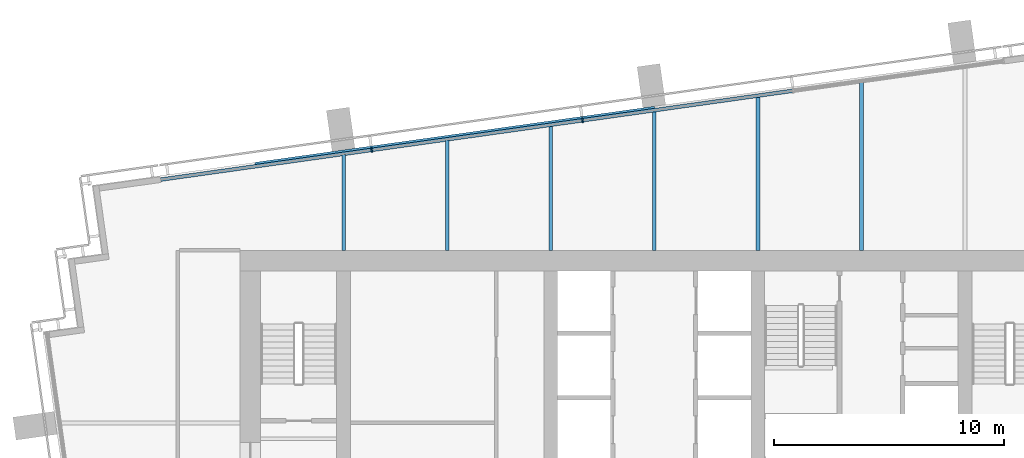
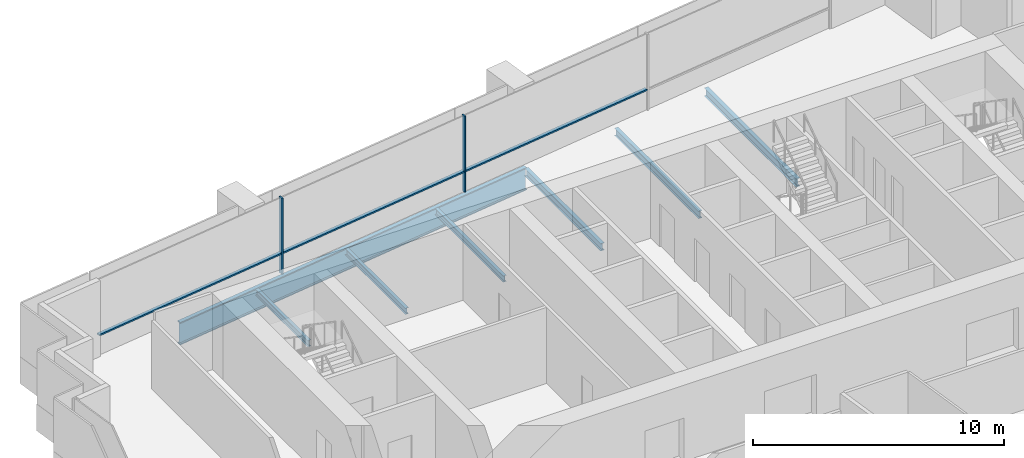
# One storey, part 5 of 15: 7 beams, 5 members, 1 element without a shape of its own.
"""IFC4 building model written with IfcOpenShell, lengths in metres."""

from ifc_helpers import new_model, si_unit, direction, frame, origin, origin_2d, place, context, subcontext, project, spatial, rectangle, i_section, extrude, material, layer, layer_set, material_profile, profile_set, type_object, element, aggregate, save


model = new_model("IFC4")

# Units and contexts
model_context = context("Model", 3, precision=1e-05, world=origin(), true_north=direction((0.0, 1.0)))
body_context = subcontext(model_context, "Body", "Model", "MODEL_VIEW")
ifc_project = project(units=[si_unit("LENGTHUNIT", "METRE"), si_unit("AREAUNIT", "SQUARE_METRE"), si_unit("VOLUMEUNIT", "CUBIC_METRE"), si_unit("PLANEANGLEUNIT", "RADIAN"), si_unit("MASSUNIT", "GRAM", prefix="KILO")], contexts=[model_context])

# Site, building, storey
site_placement = place(None, origin())
site = spatial("IfcSite", under=ifc_project, at=site_placement, CompositionType="ELEMENT")
building_placement = place(site_placement, origin())
building = spatial("IfcBuilding", under=site, at=building_placement, Name="Rattan Terrace Tower", CompositionType="ELEMENT")
storey_placement = place(building_placement, frame((0.0, 0.0, 274.60009765625)))
storey = spatial("IfcBuildingStorey", under=building, at=storey_placement, Name="L63", CompositionType="ELEMENT", Elevation=274.60009765625)

# Beams
ifc_material_1 = material(Name="Steel S460", Category="steel")
ifc_material_profile_1 = material_profile(ifc_material_1, i_section(OverallWidth=0.179931640625, OverallDepth=1.10009765625, WebThickness=0.01611328125, FlangeThickness=0.050048828125, at=origin_2d()), Name="PG 1100x180-16-50")
ifc_profile_set_1 = profile_set([ifc_material_profile_1], Name="Steel S460")
beam_type_1 = type_object("IfcBeamType", Name="Frame edge girder PG 1100x180-16-50", PredefinedType="SPANDREL", material=ifc_profile_set_1)
beam_1_placement = place(storey_placement, frame((-17.347900390625, 11.22900390625, -0.75), z_axis=(0.990275473288, 0.139120404699, 0.0), x_axis=(-0.139120404699, 0.990275473288, 0.0)))
element("IfcBeam", 1, at=beam_1_placement, inside=storey, type_object=beam_type_1, Name="gdr-L63-005", PredefinedType="SPANDREL", context=body_context, shape_type="SweptSolid", body=[
    extrude(i_section(OverallWidth=0.179931640625, OverallDepth=1.10009765625, WebThickness=0.01611328125, FlangeThickness=0.050048828125, at=origin_2d()), origin(), (0.0, 0.0, 1.0), 17.53125),
])
ifc_material_2 = material(Name="Steel S355", Category="steel")
ifc_material_profile_2 = material_profile(ifc_material_2, i_section(OverallWidth=0.14990234375, OverallDepth=0.300048828125, WebThickness=0.007080078125, FlangeThickness=0.0107421875, FilletRadius=0.014892578125, at=origin_2d()), Name="IPE 300")
ifc_profile_set_2 = profile_set([ifc_material_profile_2], Name="Steel S355")
beam_type_2 = type_object("IfcBeamType", Name="Frame floor beam IPE 300", PredefinedType="JOIST", material=ifc_profile_set_2)
beam_2_placement = place(storey_placement, frame((-13.5, 7.5, -0.35009765625), z_axis=(0.0, 1.0, 0.0), x_axis=(-1.0, 0.0, 0.0)))
element("IfcBeam", 2, at=beam_2_placement, inside=storey, type_object=beam_type_2, Name="bm-L63-015", PredefinedType="JOIST", context=body_context, shape_type="SweptSolid", body=[
    extrude(i_section(OverallWidth=0.14990234375, OverallDepth=0.300048828125, WebThickness=0.007080078125, FlangeThickness=0.0107421875, FilletRadius=0.014892578125, at=origin_2d()), origin(), (0.0, 0.0, 1.0), 4.16796875),
])
beam_3_placement = place(storey_placement, frame((-9.0, 7.5, -0.35009765625), z_axis=(0.0, 1.0, 0.0), x_axis=(-1.0, 0.0, 0.0)))
element("IfcBeam", 3, at=beam_3_placement, inside=storey, type_object=beam_type_2, Name="bm-L63-016", PredefinedType="JOIST", context=body_context, shape_type="SweptSolid", body=[
    extrude(i_section(OverallWidth=0.14990234375, OverallDepth=0.300048828125, WebThickness=0.007080078125, FlangeThickness=0.0107421875, FilletRadius=0.014892578125, at=origin_2d()), origin(), (0.0, 0.0, 1.0), 4.800048828125),
])
beam_4_placement = place(storey_placement, frame((-4.5, 7.5, -0.35009765625), z_axis=(0.0, 1.0, 0.0), x_axis=(-1.0, 0.0, 0.0)))
element("IfcBeam", 4, at=beam_4_placement, inside=storey, type_object=beam_type_2, Name="bm-L63-017", PredefinedType="JOIST", context=body_context, shape_type="SweptSolid", body=[
    extrude(i_section(OverallWidth=0.14990234375, OverallDepth=0.300048828125, WebThickness=0.007080078125, FlangeThickness=0.0107421875, FilletRadius=0.014892578125, at=origin_2d()), origin(), (0.0, 0.0, 1.0), 5.43310546875),
])
ifc_material_3 = material(Name="Steel S355", Category="steel")
ifc_material_profile_3 = material_profile(ifc_material_3, i_section(OverallWidth=0.169921875, OverallDepth=0.360107421875, WebThickness=0.008056640625, FlangeThickness=0.0126953125, FilletRadius=0.01806640625, at=origin_2d()), Name="IPE 360")
ifc_profile_set_3 = profile_set([ifc_material_profile_3], Name="Steel S355")
beam_type_3 = type_object("IfcBeamType", Name="Frame floor beam IPE 360", PredefinedType="JOIST", material=ifc_profile_set_3)
beam_5_placement = place(storey_placement, frame((0.0, 7.5, -0.380126953125), z_axis=(0.0, 1.0, 0.0), x_axis=(-1.0, 0.0, 0.0)))
element("IfcBeam", 5, at=beam_5_placement, inside=storey, type_object=beam_type_3, Name="bm-L63-018", PredefinedType="JOIST", context=body_context, shape_type="SweptSolid", body=[
    extrude(i_section(OverallWidth=0.169921875, OverallDepth=0.360107421875, WebThickness=0.008056640625, FlangeThickness=0.0126953125, FilletRadius=0.01806640625, at=origin_2d()), origin(), (0.0, 0.0, 1.0), 6.06298828125),
])
beam_6_placement = place(storey_placement, frame((4.5, 7.5, -0.380126953125), z_axis=(0.0, 1.0, 0.0), x_axis=(-1.0, 0.0, 0.0)))
element("IfcBeam", 6, at=beam_6_placement, inside=storey, type_object=beam_type_3, Name="bm-L63-019", PredefinedType="JOIST", context=body_context, shape_type="SweptSolid", body=[
    extrude(i_section(OverallWidth=0.169921875, OverallDepth=0.360107421875, WebThickness=0.008056640625, FlangeThickness=0.0126953125, FilletRadius=0.01806640625, at=origin_2d()), origin(), (0.0, 0.0, 1.0), 6.696044921875),
])
ifc_material_4 = material(Name="Steel S355", Category="steel")
ifc_material_profile_4 = material_profile(ifc_material_4, i_section(OverallWidth=0.179931640625, OverallDepth=0.39990234375, WebThickness=0.008544921875, FlangeThickness=0.013427734375, FilletRadius=0.02099609375, at=origin_2d()), Name="IPE 400")
ifc_profile_set_4 = profile_set([ifc_material_profile_4], Name="Steel S355")
beam_type_4 = type_object("IfcBeamType", Name="Frame floor beam IPE 400", PredefinedType="JOIST", material=ifc_profile_set_4)
beam_7_placement = place(storey_placement, frame((9.0, 7.5, -0.400146484375), z_axis=(0.0, 1.0, 0.0), x_axis=(-1.0, 0.0, 0.0)))
element("IfcBeam", 7, at=beam_7_placement, inside=storey, type_object=beam_type_4, Name="bm-L63-020", PredefinedType="JOIST", context=body_context, shape_type="SweptSolid", body=[
    extrude(i_section(OverallWidth=0.179931640625, OverallDepth=0.39990234375, WebThickness=0.008544921875, FlangeThickness=0.013427734375, FilletRadius=0.02099609375, at=origin_2d()), origin(), (0.0, 0.0, 1.0), 7.327880859375),
])

# Curtain wall, members
ifc_material_5 = material(Name="Aluminium and laminated glass", Category="aluminium")
ifc_layer = layer(ifc_material_5, 0.199951171875)
ifc_layer_set = layer_set([ifc_layer], Name="High-Zone Unitised Curtain Wall")
curtain_wall_type = type_object("IfcCurtainWallType", Name="High-Zone Unitised Curtain Wall", PredefinedType="NOTDEFINED", material=ifc_layer_set)
curtain_wall_placement = place(storey_placement, origin())
curtain_wall = element("IfcCurtainWall", 8, at=curtain_wall_placement, inside=storey, type_object=curtain_wall_type, Name="High-zone curtain wall L63-2", PredefinedType="NOTDEFINED")
ifc_material_6 = material(Name="Aluminium", Category="aluminium")
ifc_material_profile_5 = material_profile(ifc_material_6, rectangle(XDim=0.070068359375, YDim=0.199951171875, at=origin_2d()), Name="Aluminium 70x200")
ifc_profile_set_5 = profile_set([ifc_material_profile_5], Name="Aluminium")
member_type_1 = type_object("IfcMemberType", Name="High-Zone CW Mullion 70x200", PredefinedType="MULLION", material=ifc_profile_set_5)
member_1_placement = place(storey_placement, frame((-3.1181640625, 13.14697265625, 0.0), z_axis=(0.0, 0.0, 1.0), x_axis=(-0.990265894013, -0.139188574079, 0.0)))
member_1 = element("IfcMember", 9, at=member_1_placement, type_object=member_type_1, Name="Mullion cwl-L63-002.3", PredefinedType="MULLION", context=body_context, shape_type="SweptSolid", body=[
    extrude(rectangle(XDim=0.070068359375, YDim=0.199951171875, at=origin_2d()), origin(), (0.0, 0.0, 1.0), 3.699951171875),
])
member_2_placement = place(storey_placement, frame((-12.27734375, 11.859619140625, 0.0), z_axis=(0.0, 0.0, 1.0), x_axis=(-0.990265894013, -0.139188574079, 0.0)))
member_2 = element("IfcMember", 10, at=member_2_placement, type_object=member_type_1, Name="Mullion cwl-L63-002.4", PredefinedType="MULLION", context=body_context, shape_type="SweptSolid", body=[
    extrude(rectangle(XDim=0.070068359375, YDim=0.199951171875, at=origin_2d()), origin(), (0.0, 0.0, 1.0), 3.699951171875),
])
ifc_material_7 = material(Name="Aluminium", Category="aluminium")
ifc_material_profile_6 = material_profile(ifc_material_7, rectangle(XDim=0.159912109375, YDim=0.070068359375, at=origin_2d()), Name="Aluminium 160x70")
ifc_profile_set_6 = profile_set([ifc_material_profile_6], Name="Aluminium")
member_type_2 = type_object("IfcMemberType", Name="High-Zone CW Transom 160x70", PredefinedType="USERDEFINED", material=ifc_profile_set_6)
member_3_placement = place(storey_placement, frame((6.006103515625, 14.429443359375, 1.0), z_axis=(-0.990266147156, -0.139186773067, 0.0), x_axis=(0.139186773067, -0.990266147156, 0.0)))
member_3 = element("IfcMember", 11, at=member_3_placement, type_object=member_type_2, Name="Transom cwl-L63-002.2", ObjectType="TRANSOM", PredefinedType="USERDEFINED", context=body_context, shape_type="SweptSolid", body=[
    extrude(rectangle(XDim=0.159912109375, YDim=0.070068359375, at=origin_2d()), origin(), (0.0, 0.0, 1.0), 9.178955078125),
])
member_4_placement = place(storey_placement, frame((-3.15283203125, 13.14208984375, 1.0), z_axis=(-0.990266662415, -0.139183107123, 0.0), x_axis=(0.139183107123, -0.990266662415, 0.0)))
member_4 = element("IfcMember", 12, at=member_4_placement, type_object=member_type_2, Name="Transom cwl-L63-002.3", ObjectType="TRANSOM", PredefinedType="USERDEFINED", context=body_context, shape_type="SweptSolid", body=[
    extrude(rectangle(XDim=0.159912109375, YDim=0.070068359375, at=origin_2d()), origin(), (0.0, 0.0, 1.0), 9.17919921875),
])
member_5_placement = place(storey_placement, frame((-12.31201171875, 11.854736328125, 1.0), z_axis=(-0.990263767768, -0.139203700545, 0.0), x_axis=(0.139203700545, -0.990263767768, 0.0)))
member_5 = element("IfcMember", 13, at=member_5_placement, type_object=member_type_2, Name="Transom cwl-L63-002.4", ObjectType="TRANSOM", PredefinedType="USERDEFINED", context=body_context, shape_type="SweptSolid", body=[
    extrude(rectangle(XDim=0.159912109375, YDim=0.070068359375, at=origin_2d()), origin(), (0.0, 0.0, 1.0), 9.21826171875),
])
aggregate(curtain_wall, [member_1, member_2, member_3, member_4, member_5])

save(model, "model.ifc")
